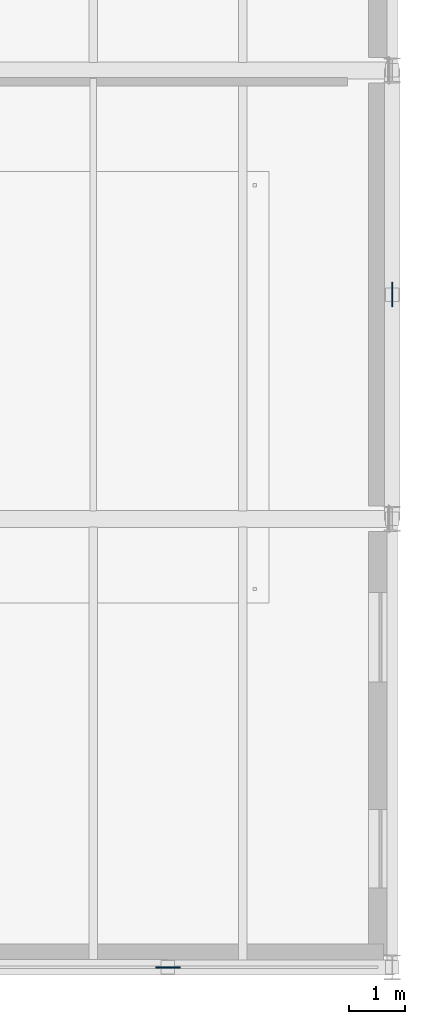
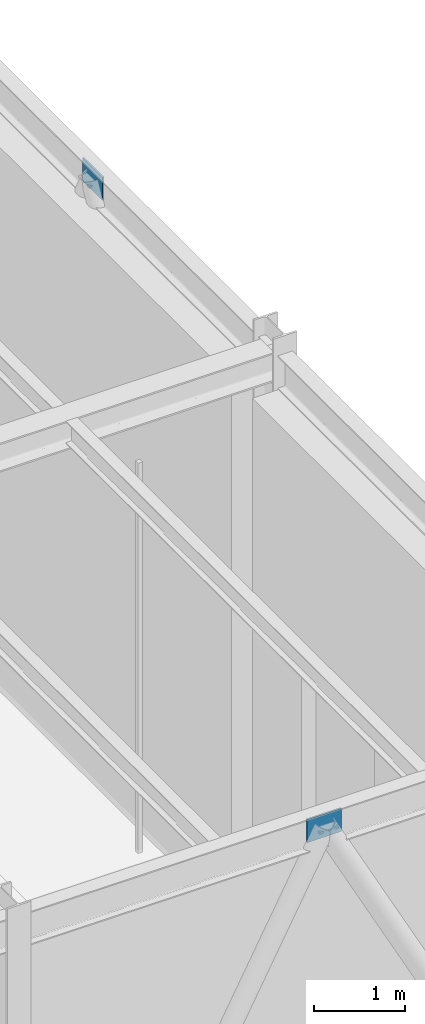
# One storey, part 87 of 138: 2 plates.
"""IFC4 building model written with IfcOpenShell, lengths in metres."""

from ifc_helpers import new_model, si_unit, direction, frame, origin, origin_2d, place, context, subcontext, project, spatial, rectangle, extrude, material, layer, layer_set, type_object, element, save


model = new_model("IFC4")

# Units and contexts
model_context = context("Model", 3, precision=1e-05, world=origin(), true_north=direction((0.0, 1.0)))
body_context = subcontext(model_context, "Body", "Model", "MODEL_VIEW")
ifc_project = project(units=[si_unit("LENGTHUNIT", "METRE"), si_unit("AREAUNIT", "SQUARE_METRE"), si_unit("VOLUMEUNIT", "CUBIC_METRE"), si_unit("PLANEANGLEUNIT", "RADIAN"), si_unit("MASSUNIT", "GRAM", prefix="KILO")], contexts=[model_context])

# Site, building, storey
site_placement = place(None, origin())
site = spatial("IfcSite", under=ifc_project, at=site_placement, CompositionType="ELEMENT")
building_placement = place(site_placement, origin())
building = spatial("IfcBuilding", under=site, at=building_placement, Name="Sundkrona Museum", CompositionType="ELEMENT")
storey_placement = place(building_placement, frame((0.0, 0.0, 9.60009765625)))
storey = spatial("IfcBuildingStorey", under=building, at=storey_placement, Name="L02", CompositionType="ELEMENT", Elevation=9.60009765625)

# Plates
ifc_material = material(Name="Steel S355J2", Category="steel")
ifc_layer = layer(ifc_material, 0.02197265625)
ifc_layer_set = layer_set([ifc_layer], Name="Steel S355J2")
plate_type = type_object("IfcPlateType", Name="GP-5", PredefinedType="USERDEFINED", material=ifc_layer_set)
for number, where, z_axis, x_axis, name in (
    (1, (164.0, 0.0, 7.384765625), (0.0, 0.0, 1.0), (1.0, 0.0, 0.0), "L02 Chevron Apex Gusset Plate 004"),
    (2, (168.0, 12.0, 7.384765625), (0.0, 0.0, 1.0), (0.0, 1.0, 0.0), "L02 Chevron Apex Gusset Plate 010"),
):
    element("IfcPlate", number, at=place(storey_placement, frame(where, z_axis=z_axis, x_axis=x_axis)), inside=storey, type_object=plate_type, Name=name, ObjectType="GUSSET PLATE", PredefinedType="USERDEFINED", context=body_context, shape_type="SweptSolid", body=[
        extrude(rectangle(XDim=0.43994140625, YDim=0.02197265625, at=origin_2d()), origin(), (0.0, 0.0, 1.0), 0.31005859375),
    ])

save(model, "model.ifc")
